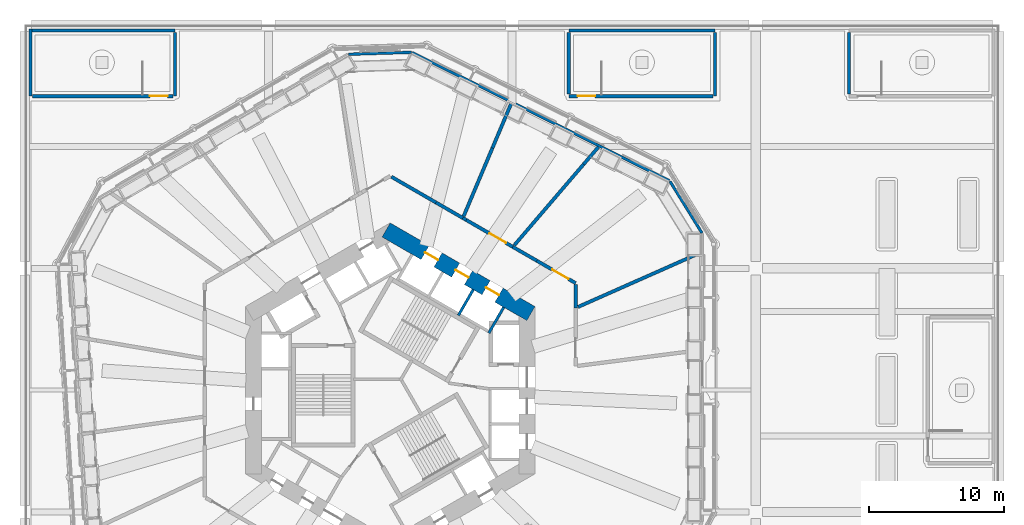
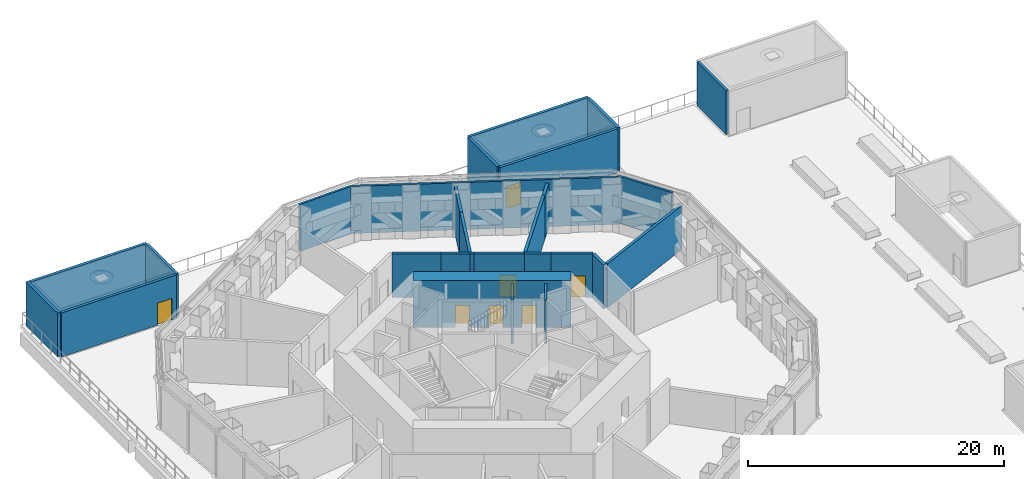
# One storey, part 9 of 20: 27 walls, 7 doors, 7 openings.
"""IFC4 building model written with IfcOpenShell, lengths in metres."""

from ifc_helpers import new_model, si_unit, direction, frame, frame_2d, origin, place, context, subcontext, project, spatial, rectangle, extrude, material, layer, layer_set, type_object, element, fill, save


model = new_model("IFC4")

# Units and contexts
model_context = context("Model", 3, precision=1e-05, world=origin(), true_north=direction((0.0, 1.0)))
body_context = subcontext(model_context, "Body", "Model", "MODEL_VIEW")
ifc_project = project(units=[si_unit("LENGTHUNIT", "METRE"), si_unit("AREAUNIT", "SQUARE_METRE"), si_unit("VOLUMEUNIT", "CUBIC_METRE"), si_unit("PLANEANGLEUNIT", "RADIAN"), si_unit("MASSUNIT", "GRAM", prefix="KILO")], contexts=[model_context])

# Site, building, storey
site_placement = place(None, origin())
site = spatial("IfcSite", under=ifc_project, at=site_placement, CompositionType="ELEMENT")
building_placement = place(site_placement, origin())
building = spatial("IfcBuilding", under=site, at=building_placement, Name="Vanh Sen Convention Tower", CompositionType="ELEMENT")
storey_placement = place(building_placement, frame((0.0, 0.0, 34.5)))
storey = spatial("IfcBuildingStorey", under=building, at=storey_placement, Name="L05", CompositionType="ELEMENT", Elevation=34.5)

# Walls
ifc_material_1 = material(Name="Concrete C40/50", Category="concrete")
ifc_layer_1 = layer(ifc_material_1, 0.25)
ifc_layer_set_1 = layer_set([ifc_layer_1], Name="Concrete C40/50")
wall_type_1 = type_object("IfcWallType", Name="Concrete wall 250 EI 180", PredefinedType="SOLIDWALL", material=ifc_layer_set_1)
wall_1_placement = place(storey_placement, frame((13.8828125, 6.151611328125, 0.0), z_axis=(0.0, 0.0, 1.0), x_axis=(0.914277420945, 0.405088629254, 0.0)))
element("IfcWall", 1, at=wall_1_placement, inside=storey, type_object=wall_type_1, Name="Fire-resisting wall L05-033", PredefinedType="SOLIDWALL", context=body_context, shape_type="SweptSolid", body=[
    extrude(rectangle(XDim=9.90625, YDim=0.25, at=frame_2d((4.953125, 0.0))), origin(), (0.0, 0.0, 1.0), 4.199951171875),
])
wall_2_placement = place(storey_placement, frame((13.699951171875, 7.8095703125, 0.0), z_axis=(0.0, 0.0, 1.0), x_axis=(0.0, -1.0, 0.0)))
element("IfcWall", 2, at=wall_2_placement, inside=storey, type_object=wall_type_1, Name="Fire-resisting wall L05-034", PredefinedType="SOLIDWALL", context=body_context, shape_type="SweptSolid", body=[
    extrude(rectangle(XDim=1.739013671875, YDim=0.25, at=frame_2d((0.86962890625, 0.0))), origin(), (0.0, 0.0, 1.0), 4.199951171875),
])

# Wall, opening, door
wall_3_placement = place(storey_placement, frame((13.699951171875, 7.909423828125, 0.0), z_axis=(0.0, 0.0, 1.0), x_axis=(-0.866014848099, 0.500018282537, 0.0)))
wall_3 = element("IfcWall", 3, at=wall_3_placement, inside=storey, type_object=wall_type_1, Name="Fire-resisting wall L05-035", PredefinedType="SOLIDWALL", context=body_context, shape_type="SweptSolid", body=[
    extrude(rectangle(XDim=3.31005859375, YDim=0.25, at=frame_2d((1.655029296875, 0.0))), origin(), (0.0, 0.0, 1.0), 4.199951171875),
])
opening_1_placement = place(wall_3_placement, frame((0.60009765625, 0.0, 0.0)))
opening_1 = element("IfcOpeningElement", 4, at=opening_1_placement, cuts=wall_3, Name="Opening D05112", PredefinedType="OPENING", context=body_context, shape_type="SweptSolid", body=[
    extrude(rectangle(XDim=1.39990234375, YDim=2.10009765625, at=frame_2d((0.699951171875, 1.050048828125))), frame((0.0, 0.135009765625, 0.0), z_axis=(0.0, -1.0, 0.0), x_axis=(1.0, 0.0, 0.0)), (0.0, 0.0, 1.0), 0.27001953125),
])
ifc_material_2 = material(Name="Steel S355", Category="steel")
door_type_1 = type_object("IfcDoorType", Name="Service door 1400 EI 60", OperationType="SINGLE_SWING_LEFT", PredefinedType="DOOR", material=ifc_material_2)
door_1_placement = place(opening_1_placement, origin())
door_1 = element("IfcDoor", 5, at=door_1_placement, inside=storey, type_object=door_type_1, Name="Service door D05112", OperationType="SINGLE_SWING_LEFT", OverallHeight=2.10009765625, OverallWidth=1.39990234375, PredefinedType="DOOR", context=body_context, shape_type="SweptSolid", body=[
    extrude(rectangle(XDim=1.39990234375, YDim=2.10009765625, at=frame_2d((0.699951171875, 1.050048828125))), frame((0.0, 0.02490234375, 0.0), z_axis=(0.0, -1.0, 0.0), x_axis=(1.0, 0.0, 0.0)), (0.0, 0.0, 1.0), 0.050048828125),
])
fill(opening_1, door_1)

# Wall
wall_4_placement = place(storey_placement, frame((10.83349609375, 9.564453125, 0.0), z_axis=(0.0, 0.0, 1.0), x_axis=(-0.866058244174, 0.499943114462, 0.0)))
element("IfcWall", 6, at=wall_4_placement, inside=storey, type_object=wall_type_1, Name="Fire-resisting wall L05-038", PredefinedType="SOLIDWALL", context=body_context, shape_type="SweptSolid", body=[
    extrude(rectangle(XDim=2.043212890625, YDim=0.25, at=frame_2d((1.021484375, 0.0))), origin(), (0.0, 0.0, 1.0), 4.199951171875),
])

# Wall, opening, door
wall_5_placement = place(storey_placement, frame((9.06396484375, 10.5859375, 0.0), z_axis=(0.0, 0.0, 1.0), x_axis=(-0.865998553266, 0.500046503579, 0.0)))
wall_5 = element("IfcWall", 7, at=wall_5_placement, inside=storey, type_object=wall_type_1, Name="Fire-resisting wall L05-039", PredefinedType="SOLIDWALL", context=body_context, shape_type="SweptSolid", body=[
    extrude(rectangle(XDim=3.97802734375, YDim=0.25, at=frame_2d((1.989013671875, 0.0))), origin(), (0.0, 0.0, 1.0), 4.199951171875),
])
opening_2_placement = place(wall_5_placement, frame((0.60009765625, 0.0, 0.0)))
opening_2 = element("IfcOpeningElement", 8, at=opening_2_placement, cuts=wall_5, Name="Opening D05113", PredefinedType="OPENING", context=body_context, shape_type="SweptSolid", body=[
    extrude(rectangle(XDim=1.39990234375, YDim=2.10009765625, at=frame_2d((0.699951171875, 1.050048828125))), frame((0.0, 0.135009765625, 0.0), z_axis=(0.0, -1.0, 0.0), x_axis=(1.0, 0.0, 0.0)), (0.0, 0.0, 1.0), 0.27001953125),
])
door_2_placement = place(opening_2_placement, origin())
door_2 = element("IfcDoor", 9, at=door_2_placement, inside=storey, type_object=door_type_1, Name="Service door D05113", OperationType="SINGLE_SWING_LEFT", OverallHeight=2.10009765625, OverallWidth=1.39990234375, PredefinedType="DOOR", context=body_context, shape_type="SweptSolid", body=[
    extrude(rectangle(XDim=1.39990234375, YDim=2.10009765625, at=frame_2d((0.699951171875, 1.050048828125))), frame((0.0, 0.02490234375, 0.0), z_axis=(0.0, -1.0, 0.0), x_axis=(1.0, 0.0, 0.0)), (0.0, 0.0, 1.0), 0.050048828125),
])
fill(opening_2, door_2)

# Walls
wall_6_placement = place(storey_placement, frame((5.618896484375, 12.5751953125, 0.0), z_axis=(0.0, 0.0, 1.0), x_axis=(-0.865775094499, 0.500433297998, 0.0)))
element("IfcWall", 10, at=wall_6_placement, inside=storey, type_object=wall_type_1, Name="Fire-resisting wall L05-044", PredefinedType="SOLIDWALL", context=body_context, shape_type="SweptSolid", body=[
    extrude(rectangle(XDim=0.287353515625, YDim=0.25, at=frame_2d((0.1435546875, 0.0))), origin(), (0.0, 0.0, 1.0), 4.199951171875),
])
wall_7_placement = place(storey_placement, frame((3.385986328125, 13.864501953125, 0.0), z_axis=(0.0, 0.0, 1.0), x_axis=(0.866031201001, -0.499989958791, 0.0)))
element("IfcWall", 11, at=wall_7_placement, inside=storey, type_object=wall_type_1, Name="Fire-resisting wall L05-046", PredefinedType="SOLIDWALL", context=body_context, shape_type="SweptSolid", body=[
    extrude(rectangle(XDim=2.291015625, YDim=0.25, at=frame_2d((1.1455078125, 0.0))), origin(), (0.0, 0.0, 1.0), 4.199951171875),
])
wall_8_placement = place(storey_placement, frame((0.086669921875, 15.76953125, 0.0), z_axis=(0.0, 0.0, 1.0), x_axis=(0.866006299436, -0.500033088242, 0.0)))
element("IfcWall", 12, at=wall_8_placement, inside=storey, type_object=wall_type_1, Name="Fire-resisting wall L05-050", PredefinedType="SOLIDWALL", context=body_context, shape_type="SweptSolid", body=[
    extrude(rectangle(XDim=3.809814453125, YDim=0.25, at=frame_2d((1.90478515625, 0.0))), origin(), (0.0, 0.0, 1.0), 4.199951171875),
])
wall_9_placement = place(storey_placement, frame((14.29345703125, 16.693603515625, 0.0), z_axis=(0.0, 0.0, 1.0), x_axis=(-0.650375407049, -0.759612947432, 0.0)))
element("IfcWall", 13, at=wall_9_placement, inside=storey, type_object=wall_type_1, Name="Fire-resisting wall L05-054", PredefinedType="SOLIDWALL", context=body_context, shape_type="SweptSolid", body=[
    extrude(rectangle(XDim=7.88037109375, YDim=0.25, at=frame_2d((3.940185546875, 0.0))), origin(), (0.0, 0.0, 1.0), 4.199951171875),
])
wall_10_placement = place(storey_placement, frame((14.29345703125, 16.693603515625, 0.0), z_axis=(0.0, 0.0, 1.0), x_axis=(0.650490841035, 0.75951409844, 0.0)))
element("IfcWall", 14, at=wall_10_placement, inside=storey, type_object=wall_type_1, Name="Fire-resisting wall L05-055", PredefinedType="SOLIDWALL", context=body_context, shape_type="SweptSolid", body=[
    extrude(rectangle(XDim=1.6728515625, YDim=0.25, at=frame_2d((0.83642578125, 0.0))), origin(), (0.0, 0.0, 1.0), 4.199951171875),
])
wall_11_placement = place(storey_placement, frame((7.552490234375, 17.889404296875, 0.0), z_axis=(0.0, 0.0, 1.0), x_axis=(-0.38886264762, -0.921295740404, 0.0)))
element("IfcWall", 15, at=wall_11_placement, inside=storey, type_object=wall_type_1, Name="Fire-resisting wall L05-056", PredefinedType="SOLIDWALL", context=body_context, shape_type="SweptSolid", body=[
    extrude(rectangle(XDim=5.47216796875, YDim=0.25, at=frame_2d((2.736083984375, 0.0))), origin(), (0.0, 0.0, 1.0), 4.199951171875),
])
wall_12_placement = place(storey_placement, frame((7.552490234375, 17.889404296875, 0.0), z_axis=(0.0, 0.0, 1.0), x_axis=(0.388916536807, 0.921272992873, 0.0)))
element("IfcWall", 16, at=wall_12_placement, inside=storey, type_object=wall_type_1, Name="Fire-resisting wall L05-057", PredefinedType="SOLIDWALL", context=body_context, shape_type="SweptSolid", body=[
    extrude(rectangle(XDim=3.5673828125, YDim=0.25, at=frame_2d((1.78369140625, 0.0))), origin(), (0.0, 0.0, 1.0), 4.199951171875),
])

# Wall, opening, door
ifc_layer_2 = layer(ifc_material_1, 0.25)
ifc_layer_set_2 = layer_set([ifc_layer_2], Name="Concrete C40/50")
wall_type_2 = type_object("IfcWallType", Name="Concrete wall 250 REI 180", PredefinedType="SOLIDWALL", material=ifc_layer_set_2)
wall_13_placement = place(storey_placement, frame((-16.0400390625, 21.72509765625, 0.0), z_axis=(0.0, 0.0, 1.0), x_axis=(-1.0, 0.0, 0.0)))
wall_13 = element("IfcWall", 17, at=wall_13_placement, inside=storey, type_object=wall_type_2, Name="Fire-resisting wall L05-058", PredefinedType="SOLIDWALL", context=body_context, shape_type="SweptSolid", body=[
    extrude(rectangle(XDim=10.39990234375, YDim=0.25, at=frame_2d((5.199951171875, 0.0))), origin(), (0.0, 0.0, 1.0), 4.199951171875),
])
opening_3_placement = place(wall_13_placement, frame((0.409912109375, 0.0, 0.0)))
opening_3 = element("IfcOpeningElement", 18, at=opening_3_placement, cuts=wall_13, Name="Opening D05117", PredefinedType="OPENING", context=body_context, shape_type="SweptSolid", body=[
    extrude(rectangle(XDim=1.300048828125, YDim=2.10009765625, at=frame_2d((0.64990234375, 1.050048828125))), frame((0.0, 0.135009765625, 0.0), z_axis=(0.0, -1.0, 0.0), x_axis=(1.0, 0.0, 0.0)), (0.0, 0.0, 1.0), 0.27001953125),
])
ifc_material_3 = material(Name="Steel S355", Category="steel")
door_type_2 = type_object("IfcDoorType", Name="Stair door 1300 EI 60", OperationType="SINGLE_SWING_LEFT", PredefinedType="DOOR", material=ifc_material_3)
door_3_placement = place(opening_3_placement, origin())
door_3 = element("IfcDoor", 19, at=door_3_placement, inside=storey, type_object=door_type_2, Name="Stair door D05117", OperationType="SINGLE_SWING_LEFT", OverallHeight=2.10009765625, OverallWidth=1.300048828125, PredefinedType="DOOR", context=body_context, shape_type="SweptSolid", body=[
    extrude(rectangle(XDim=1.300048828125, YDim=2.10009765625, at=frame_2d((0.64990234375, 1.050048828125))), frame((0.0, 0.02490234375, 0.0), z_axis=(0.0, -1.0, 0.0), x_axis=(1.0, 0.0, 0.0)), (0.0, 0.0, 1.0), 0.050048828125),
])
fill(opening_3, door_3)

wall_14_placement = place(storey_placement, frame((23.860107421875, 21.72509765625, 0.0), z_axis=(0.0, 0.0, 1.0), x_axis=(-1.0, 0.0, 0.0)))
wall_14 = element("IfcWall", 20, at=wall_14_placement, inside=storey, type_object=wall_type_2, Name="Fire-resisting wall L05-059", PredefinedType="SOLIDWALL", context=body_context, shape_type="SweptSolid", body=[
    extrude(rectangle(XDim=10.66015625, YDim=0.25, at=frame_2d((5.330078125, 0.0))), origin(), (0.0, 0.0, 1.0), 4.199951171875),
])
opening_4_placement = place(wall_14_placement, frame((8.7099609375, 0.0, 0.0)))
opening_4 = element("IfcOpeningElement", 21, at=opening_4_placement, cuts=wall_14, Name="Opening D05118", PredefinedType="OPENING", context=body_context, shape_type="SweptSolid", body=[
    extrude(rectangle(XDim=1.300048828125, YDim=2.10009765625, at=frame_2d((0.64990234375, 1.050048828125))), frame((0.0, 0.135009765625, 0.0), z_axis=(0.0, -1.0, 0.0), x_axis=(1.0, 0.0, 0.0)), (0.0, 0.0, 1.0), 0.27001953125),
])
door_4_placement = place(opening_4_placement, origin())
door_4 = element("IfcDoor", 22, at=door_4_placement, inside=storey, type_object=door_type_2, Name="Stair door D05118", OperationType="SINGLE_SWING_LEFT", OverallHeight=2.10009765625, OverallWidth=1.300048828125, PredefinedType="DOOR", context=body_context, shape_type="SweptSolid", body=[
    extrude(rectangle(XDim=1.300048828125, YDim=2.10009765625, at=frame_2d((0.64990234375, 1.050048828125))), frame((0.0, 0.02490234375, 0.0), z_axis=(0.0, -1.0, 0.0), x_axis=(1.0, 0.0, 0.0)), (0.0, 0.0, 1.0), 0.050048828125),
])
fill(opening_4, door_4)

# Walls
for number, where, z_axis, x_axis, name in (
    (23, (13.199951171875, 21.864990234375, 0.0), (0.0, 0.0, 1.0), (0.0, 1.0, 0.0), "Fire-resisting wall L05-061"),
    (24, (33.89990234375, 21.864990234375, 0.0), (0.0, 0.0, 1.0), (0.0, 1.0, 0.0), "Fire-resisting wall L05-062"),
):
    element("IfcWall", number, at=place(storey_placement, frame(where, z_axis=z_axis, x_axis=x_axis)), inside=storey, type_object=wall_type_2, Name=name, PredefinedType="SOLIDWALL", context=body_context, shape_type="SweptSolid", body=[
        extrude(rectangle(XDim=4.574951171875, YDim=0.25, at=frame_2d((2.28759765625, 0.0))), origin(), (0.0, 0.0, 1.0), 4.199951171875),
    ])
for number, where, z_axis, x_axis, name in (
    (25, (-15.89990234375, 26.43994140625, 0.0), (0.0, 0.0, 1.0), (0.0, -1.0, 0.0), "Fire-resisting wall L05-063"),
    (26, (24.0, 26.43994140625, 0.0), (0.0, 0.0, 1.0), (0.0, -1.0, 0.0), "Fire-resisting wall L05-064"),
):
    element("IfcWall", number, at=place(storey_placement, frame(where, z_axis=z_axis, x_axis=x_axis)), inside=storey, type_object=wall_type_2, Name=name, PredefinedType="SOLIDWALL", context=body_context, shape_type="SweptSolid", body=[
        extrude(rectangle(XDim=4.71484375, YDim=0.25, at=frame_2d((2.357421875, 0.0))), origin(), (0.0, 0.0, 1.0), 4.199951171875),
    ])
wall_15_placement = place(storey_placement, frame((24.0, 26.574951171875, 0.0), z_axis=(0.0, 0.0, 1.0), x_axis=(-1.0, 0.0, 0.0)))
element("IfcWall", 27, at=wall_15_placement, inside=storey, type_object=wall_type_2, Name="Stair enclosure wall PS4 L05", PredefinedType="SOLIDWALL", context=body_context, shape_type="SweptSolid", body=[
    extrude(rectangle(XDim=10.800048828125, YDim=0.25, at=frame_2d((5.39990234375, 0.0))), origin(), (0.0, 0.0, 1.0), 4.199951171875),
])
wall_16_placement = place(storey_placement, frame((-26.574951171875, 21.72509765625, 0.0), z_axis=(0.0, 0.0, 1.0), x_axis=(0.0, 1.0, 0.0)))
element("IfcWall", 28, at=wall_16_placement, inside=storey, type_object=wall_type_2, Name="Stair enclosure wall PS5 L05", PredefinedType="SOLIDWALL", context=body_context, shape_type="SweptSolid", body=[
    extrude(rectangle(XDim=4.974853515625, YDim=0.25, at=frame_2d((2.4873046875, 0.0))), origin(), (0.0, 0.0, 1.0), 4.199951171875),
])
wall_17_placement = place(storey_placement, frame((-26.449951171875, 26.574951171875, 0.0), z_axis=(0.0, 0.0, 1.0), x_axis=(1.0, 0.0, 0.0)))
element("IfcWall", 29, at=wall_17_placement, inside=storey, type_object=wall_type_2, Name="Stair enclosure wall PS5 L05", PredefinedType="SOLIDWALL", context=body_context, shape_type="SweptSolid", body=[
    extrude(rectangle(XDim=10.550048828125, YDim=0.25, at=frame_2d((5.27490234375, 0.0))), origin(), (0.0, 0.0, 1.0), 4.199951171875),
])

# Wall, openings, doors
ifc_material_4 = material(Name="Concrete C80/95", Category="concrete")
ifc_layer_3 = layer(ifc_material_4, 1.199951171875)
ifc_layer_set_3 = layer_set([ifc_layer_3], Name="Concrete C80/95")
wall_type_3 = type_object("IfcWallType", Name="Core outer wall 1200 C80/95", PredefinedType="SHEAR", material=ifc_layer_set_3)
wall_18_placement = place(storey_placement, frame((10.39990234375, 5.657958984375, 0.0), z_axis=(0.0, 0.0, 1.0), x_axis=(-0.866021384402, 0.500006961711, 0.0)))
wall_18 = element("IfcWall", 30, at=wall_18_placement, inside=storey, type_object=wall_type_3, Name="Core wall face NE L05", PredefinedType="SHEAR", context=body_context, shape_type="SweptSolid", body=[
    extrude(rectangle(XDim=12.355224609375, YDim=1.199951171875, at=frame_2d((6.177734375, 0.0))), origin(), (0.0, 0.0, 1.0), 4.5),
])
opening_5_placement = place(wall_18_placement, frame((2.727783203125, 0.0, 0.0)))
opening_5 = element("IfcOpeningElement", 31, at=opening_5_placement, cuts=wall_18, Name="Opening LD-LR3", PredefinedType="OPENING", context=body_context, shape_type="SweptSolid", body=[
    extrude(rectangle(XDim=1.10009765625, YDim=2.10009765625, at=frame_2d((0.550048828125, 1.050048828125))), frame((0.0, 0.60986328125, 0.0), z_axis=(0.0, -1.0, 0.0), x_axis=(1.0, 0.0, 0.0)), (0.0, 0.0, 1.0), 1.219970703125),
])
opening_6_placement = place(wall_18_placement, frame((5.32763671875, 0.0, 0.0)))
opening_6 = element("IfcOpeningElement", 32, at=opening_6_placement, cuts=wall_18, Name="Opening LD-LR4", PredefinedType="OPENING", context=body_context, shape_type="SweptSolid", body=[
    extrude(rectangle(XDim=1.10009765625, YDim=2.10009765625, at=frame_2d((0.550048828125, 1.050048828125))), frame((0.0, 0.60986328125, 0.0), z_axis=(0.0, -1.0, 0.0), x_axis=(1.0, 0.0, 0.0)), (0.0, 0.0, 1.0), 1.219970703125),
])
opening_7_placement = place(wall_18_placement, frame((7.927734375, 0.0, 0.0)))
opening_7 = element("IfcOpeningElement", 33, at=opening_7_placement, cuts=wall_18, Name="Opening LD-LR5", PredefinedType="OPENING", context=body_context, shape_type="SweptSolid", body=[
    extrude(rectangle(XDim=1.10009765625, YDim=2.10009765625, at=frame_2d((0.550048828125, 1.050048828125))), frame((0.0, 0.60986328125, 0.0), z_axis=(0.0, -1.0, 0.0), x_axis=(1.0, 0.0, 0.0)), (0.0, 0.0, 1.0), 1.219970703125),
])
ifc_material_5 = material(Name="Stainless steel", Category="steel")
door_type_3 = type_object("IfcDoorType", Name="Lift landing door 1100", OperationType="DOUBLE_DOOR_SLIDING", PredefinedType="DOOR", material=ifc_material_5)
door_5_placement = place(opening_5_placement, origin())
door_5 = element("IfcDoor", 34, at=door_5_placement, inside=storey, type_object=door_type_3, Name="Lift LR3 landing door LD-LR3", OperationType="DOUBLE_DOOR_SLIDING", OverallHeight=2.10009765625, OverallWidth=1.10009765625, PredefinedType="DOOR", context=body_context, shape_type="SweptSolid", body=[
    extrude(rectangle(XDim=1.10009765625, YDim=2.10009765625, at=frame_2d((0.550048828125, 1.050048828125))), frame((0.0, 0.02490234375, 0.0), z_axis=(0.0, -1.0, 0.0), x_axis=(1.0, 0.0, 0.0)), (0.0, 0.0, 1.0), 0.050048828125),
])
fill(opening_5, door_5)
door_6_placement = place(opening_6_placement, origin())
door_6 = element("IfcDoor", 35, at=door_6_placement, inside=storey, type_object=door_type_3, Name="Lift LR4 landing door LD-LR4", OperationType="DOUBLE_DOOR_SLIDING", OverallHeight=2.10009765625, OverallWidth=1.10009765625, PredefinedType="DOOR", context=body_context, shape_type="SweptSolid", body=[
    extrude(rectangle(XDim=1.10009765625, YDim=2.10009765625, at=frame_2d((0.550048828125, 1.050048828125))), frame((0.0, 0.02490234375, 0.0), z_axis=(0.0, -1.0, 0.0), x_axis=(1.0, 0.0, 0.0)), (0.0, 0.0, 1.0), 0.050048828125),
])
fill(opening_6, door_6)
door_7_placement = place(opening_7_placement, origin())
door_7 = element("IfcDoor", 36, at=door_7_placement, inside=storey, type_object=door_type_3, Name="Lift LR5 landing door LD-LR5", OperationType="DOUBLE_DOOR_SLIDING", OverallHeight=2.10009765625, OverallWidth=1.10009765625, PredefinedType="DOOR", context=body_context, shape_type="SweptSolid", body=[
    extrude(rectangle(XDim=1.10009765625, YDim=2.10009765625, at=frame_2d((0.550048828125, 1.050048828125))), frame((0.0, 0.02490234375, 0.0), z_axis=(0.0, -1.0, 0.0), x_axis=(1.0, 0.0, 0.0)), (0.0, 0.0, 1.0), 0.050048828125),
])
fill(opening_7, door_7)

# Walls
ifc_material_6 = material(Name="Insulated lightweight infill wall")
ifc_layer_4 = layer(ifc_material_6, 0.199951171875)
ifc_layer_set_4 = layer_set([ifc_layer_4], Name="Insulated lightweight infill wall")
wall_type_4 = type_object("IfcWallType", Name="External wall 200", PredefinedType="STANDARD", material=ifc_layer_set_4)
wall_19_placement = place(storey_placement, frame((23.034912109375, 11.612060546875, 0.0), z_axis=(0.0, 0.0, 1.0), x_axis=(-0.526160091227, 0.850385535155, 0.0)))
element("IfcWall", 37, at=wall_19_placement, inside=storey, type_object=wall_type_4, Name="External wall CH1 L05", PredefinedType="STANDARD", context=body_context, shape_type="SweptSolid", body=[
    extrude(rectangle(XDim=4.493896484375, YDim=0.199951171875, at=frame_2d((2.2470703125, 0.0))), origin(), (0.0, 0.0, 1.0), 4.5),
])
wall_20_placement = place(storey_placement, frame((20.6298828125, 15.470458984375, 0.0), z_axis=(0.0, 0.0, 1.0), x_axis=(-0.894934518609, 0.446197498203, 0.0)))
element("IfcWall", 38, at=wall_20_placement, inside=storey, type_object=wall_type_4, Name="External wall NE L05", PredefinedType="STANDARD", context=body_context, shape_type="SweptSolid", body=[
    extrude(rectangle(XDim=21.24609375, YDim=0.199951171875, at=frame_2d((10.623046875, 0.0))), origin(), (0.0, 0.0, 1.0), 4.5),
])
wall_21_placement = place(storey_placement, frame((1.568359375, 24.9609375, 0.0), z_axis=(0.0, 0.0, 1.0), x_axis=(-0.999533359013, -0.030546099927, 0.0)))
element("IfcWall", 39, at=wall_21_placement, inside=storey, type_object=wall_type_4, Name="External wall CH2 L05", PredefinedType="STANDARD", context=body_context, shape_type="SweptSolid", body=[
    extrude(rectangle(XDim=4.65966796875, YDim=0.199951171875, at=frame_2d((2.329833984375, 0.0))), origin(), (0.0, 0.0, 1.0), 4.5),
])
ifc_layer_5 = layer(ifc_material_1, 0.199951171875)
ifc_layer_set_5 = layer_set([ifc_layer_5], Name="Concrete C40/50")
wall_type_5 = type_object("IfcWallType", Name="Lift shaft wall 200", PredefinedType="PARTITIONING", material=ifc_layer_set_5)
for number, where, z_axis, x_axis, name in (
    (40, (7.287353515625, 4.221923828125, 0.0), (0.0, 0.0, 1.0), (0.499946605688, 0.86605622881, 0.0), "Lift shaft wall L05"),
    (41, (5.03564453125, 5.52197265625, 0.0), (0.0, 0.0, 1.0), (0.499946605688, 0.86605622881, 0.0), "Lift shaft wall L05"),
):
    element("IfcWall", number, at=place(storey_placement, frame(where, z_axis=z_axis, x_axis=x_axis)), inside=storey, type_object=wall_type_5, Name=name, PredefinedType="PARTITIONING", context=body_context, shape_type="SweptSolid", body=[
        extrude(rectangle(XDim=2.199951171875, YDim=0.199951171875, at=frame_2d((1.10009765625, 0.0))), origin(), (0.0, 0.0, 1.0), 4.199951171875),
    ])

save(model, "model.ifc")
